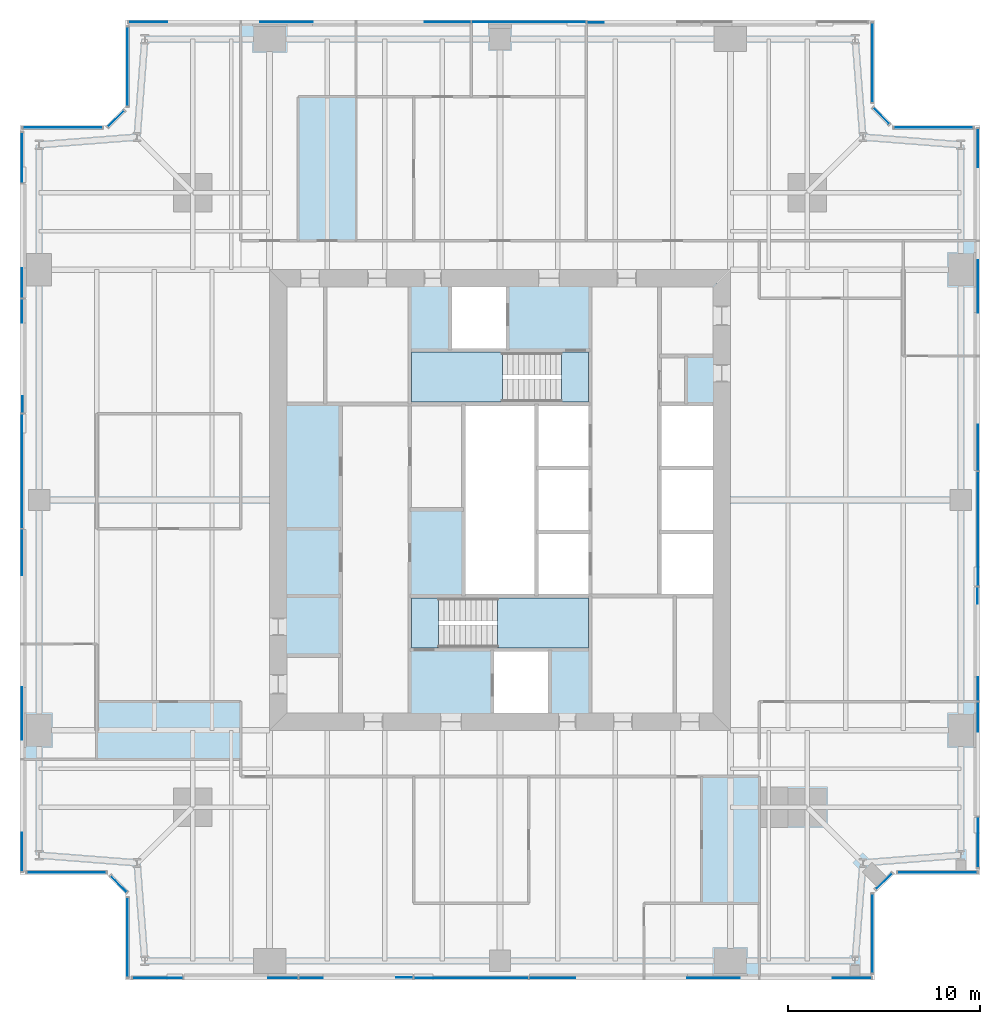
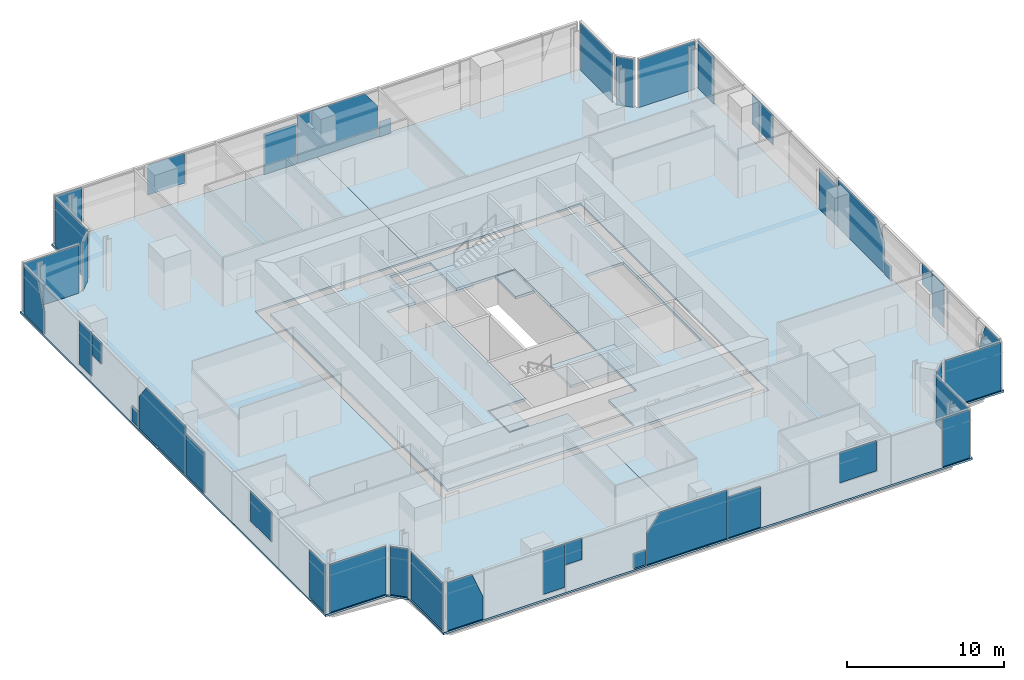
# One storey, part 8 of 14: 41 plates, 7 slabs, 18 elements without a shape of their own.
"""IFC4 building model written with IfcOpenShell, lengths in metres."""

from ifc_helpers import new_model, si_unit, direction, frame, origin, origin_2d, place, context, subcontext, project, spatial, polyline, rectangle, outline, extrude, material, layer, layer_set, type_object, element, aggregate, save


model = new_model("IFC4")

# Units and contexts
model_context = context("Model", 3, precision=1e-05, world=origin(), true_north=direction((0.0, 1.0)))
body_context = subcontext(model_context, "Body", "Model", "MODEL_VIEW")
ifc_project = project(units=[si_unit("LENGTHUNIT", "METRE"), si_unit("AREAUNIT", "SQUARE_METRE"), si_unit("VOLUMEUNIT", "CUBIC_METRE"), si_unit("PLANEANGLEUNIT", "RADIAN"), si_unit("MASSUNIT", "GRAM", prefix="KILO")], contexts=[model_context])

# Site, building, storey
site_placement = place(None, origin())
site = spatial("IfcSite", under=ifc_project, at=site_placement, CompositionType="ELEMENT")
building_placement = place(site_placement, origin())
building = spatial("IfcBuilding", under=site, at=building_placement, Name="Fenwick Lantern Interchange", CompositionType="ELEMENT")
storey_placement = place(building_placement, frame((0.0, 0.0, 205.800048828125)))
storey = spatial("IfcBuildingStorey", under=building, at=storey_placement, Name="L48", CompositionType="ELEMENT", Elevation=205.800048828125)

# Slabs
ifc_material_1 = material(Name="Concrete f'c 35 MPa", Category="concrete")
ifc_layer_1 = layer(ifc_material_1, 0.199951171875)
ifc_layer_set_1 = layer_set([ifc_layer_1], Name="CORE FLOOR SLAB 200")
slab_type_1 = type_object("IfcSlabType", Name="CORE FLOOR SLAB 200", PredefinedType="FLOOR", material=ifc_layer_set_1)
slab_1_placement = place(storey_placement, frame((0.0, 0.0, -0.199951171875)))
element("IfcSlab", 1, at=slab_1_placement, inside=storey, type_object=slab_type_1, Name="L48/SLAB/CORE", PredefinedType="FLOOR", context=body_context, shape_type="SweptSolid", body=[
    extrude(outline(polyline([(13.699951171875, 36.300048828125), (36.300048828125, 36.300048828125), (36.300048828125, 13.699951171875), (13.699951171875, 13.699951171875), (13.699951171875, 36.300048828125)]), holes=[polyline([(24.60009765625, 13.89990234375), (27.60009765625, 13.89990234375), (27.60009765625, 17.199951171875), (29.699951171875, 17.199951171875), (29.699951171875, 20.0), (29.699951171875, 23.333251953125), (29.699951171875, 26.666748046875), (29.699951171875, 30.0), (29.699951171875, 32.800048828125), (25.39990234375, 32.800048828125), (25.39990234375, 36.10009765625), (22.39990234375, 36.10009765625), (22.39990234375, 32.800048828125), (20.300048828125, 32.800048828125), (20.300048828125, 30.0), (23.10009765625, 30.0), (23.10009765625, 20.0), (20.300048828125, 20.0), (20.300048828125, 17.199951171875), (24.60009765625, 17.199951171875), (24.60009765625, 13.89990234375)]), polyline([(33.300048828125, 23.333251953125), (33.300048828125, 20.0), (36.10009765625, 20.0), (36.10009765625, 23.333251953125), (36.10009765625, 26.666748046875), (36.10009765625, 30.0), (33.300048828125, 30.0), (33.300048828125, 26.666748046875), (33.300048828125, 23.333251953125)])]), origin(), (0.0, 0.0, 1.0), 0.199951171875),
])
ifc_material_2 = material(Name="Concrete f'c 35 MPa", Category="concrete")
ifc_layer_2 = layer(ifc_material_2, 0.14990234375)
ifc_layer_set_2 = layer_set([ifc_layer_2], Name="Concrete f'c 35 MPa")
slab_type_2 = type_object("IfcSlabType", Name="FLOOR SLAB 150", PredefinedType="FLOOR", material=ifc_layer_set_2)
slab_2_placement = place(storey_placement, frame((0.0, 0.0, -0.150146484375)))
element("IfcSlab", 2, at=slab_2_placement, inside=storey, type_object=slab_type_2, Name="L48/SLAB/FW", PredefinedType="FLOOR", context=body_context, shape_type="SweptSolid", body=[
    extrude(outline(polyline([(5.5, 0.0), (5.5, 4.5), (4.5, 5.5), (0.0, 5.5), (0.0, 44.5), (4.5, 44.5), (5.5, 45.5), (5.5, 50.0), (25.0, 50.0), (25.0, 37.0), (13.0, 37.0), (13.0, 13.0), (25.0, 13.0), (25.0, 0.0), (5.5, 0.0)])), origin(), (0.0, 0.0, 1.0), 0.150146484375),
])
slab_3_placement = place(storey_placement, frame((0.0, 0.0, -0.150146484375)))
element("IfcSlab", 3, at=slab_3_placement, inside=storey, type_object=slab_type_2, Name="L48/SLAB/FE", PredefinedType="FLOOR", context=body_context, shape_type="SweptSolid", body=[
    extrude(outline(polyline([(44.5, 50.0), (44.5, 45.5), (45.5, 44.5), (50.0, 44.5), (50.0, 5.5), (45.5, 5.5), (44.5, 4.5), (44.5, 0.0), (25.0, 0.0), (25.0, 13.0), (37.0, 13.0), (37.0, 37.0), (25.0, 37.0), (25.0, 50.0), (44.5, 50.0)])), origin(), (0.0, 0.0, 1.0), 0.150146484375),
])

# Curtain wall, plates
ifc_material_3 = material(Name="Aluminium curtain wall frame", Category="aluminium")
curtain_wall_type = type_object("IfcCurtainWallType", Name="OFFICE CURTAIN WALL", PredefinedType="USERDEFINED", material=ifc_material_3)
curtain_wall_1_placement = place(storey_placement, origin())
curtain_wall_1 = element("IfcCurtainWall", 4, at=curtain_wall_1_placement, inside=storey, type_object=curtain_wall_type, Name="Office curtain wall 01", ObjectType="OFFICE CURTAIN WALL", PredefinedType="USERDEFINED")
ifc_material_4 = material(Name="Vision glass, clear low-iron double glazed", Category="glass")
ifc_layer_3 = layer(ifc_material_4, 0.031982421875)
ifc_layer_set_3 = layer_set([ifc_layer_3], Name="OFFICE CURTAIN WALL PANEL 32")
plate_type = type_object("IfcPlateType", Name="OFFICE CURTAIN WALL PANEL 32", PredefinedType="CURTAIN_PANEL", material=ifc_layer_set_3)
plate_1_placement = place(storey_placement, frame((5.60009765625, 0.10009765625, 0.0), z_axis=(0.0, 0.0, 1.0), x_axis=(1.0, 0.0, 0.0)))
plate_1 = element("IfcPlate", 5, at=plate_1_placement, type_object=plate_type, Name="L48/CW/01/P00a", PredefinedType="CURTAIN_PANEL", context=body_context, shape_type="SweptSolid", body=[
    extrude(outline(polyline([(0.264892578125, 0.0), (2.867431640625, 0.0), (2.867431640625, 1.7685546875), (2.0625, 3.75), (0.264892578125, 3.75), (0.264892578125, 0.0)])), frame((0.0, 0.01611328125, 0.0), z_axis=(0.0, -1.0, 0.0), x_axis=(1.0, 0.0, 0.0)), (0.0, 0.0, 1.0), 0.031982421875),
])
plate_2_placement = place(storey_placement, frame((5.60009765625, 0.10009765625, 0.35302734375), z_axis=(0.0, 0.0, 1.0), x_axis=(1.0, 0.0, 0.0)))
plate_2 = element("IfcPlate", 6, at=plate_2_placement, type_object=plate_type, Name="L48/CW/01/P01a", PredefinedType="CURTAIN_PANEL", context=body_context, shape_type="SweptSolid", body=[
    extrude(outline(polyline([(7.328125, 0.0), (8.867431640625, 0.0), (8.867431640625, 3.39697265625), (7.328125, 3.39697265625), (7.328125, 0.0)])), frame((0.0, 0.01611328125, 0.0), z_axis=(0.0, -1.0, 0.0), x_axis=(1.0, 0.0, 0.0)), (0.0, 0.0, 1.0), 0.031982421875),
])
plate_3_placement = place(storey_placement, frame((5.60009765625, 0.10009765625, 2.090576171875), z_axis=(0.0, 0.0, 1.0), x_axis=(1.0, 0.0, 0.0)))
plate_3 = element("IfcPlate", 7, at=plate_3_placement, type_object=plate_type, Name="L48/CW/01/P02a", PredefinedType="CURTAIN_PANEL", context=body_context, shape_type="SweptSolid", body=[
    extrude(outline(polyline([(8.9326171875, 0.0), (10.172607421875, 0.0), (10.172607421875, 1.659423828125), (8.9326171875, 1.659423828125), (8.9326171875, 0.0)])), frame((0.0, 0.01611328125, 0.0), z_axis=(0.0, -1.0, 0.0), x_axis=(1.0, 0.0, 0.0)), (0.0, 0.0, 1.0), 0.031982421875),
])
plate_4_placement = place(storey_placement, frame((5.60009765625, 0.10009765625, 0.0), z_axis=(0.0, 0.0, 1.0), x_axis=(1.0, 0.0, 0.0)))
plate_4 = element("IfcPlate", 8, at=plate_4_placement, type_object=plate_type, Name="L48/CW/01/P02b", PredefinedType="CURTAIN_PANEL", context=body_context, shape_type="SweptSolid", body=[
    extrude(outline(polyline([(13.984619140625, 0.0), (14.867431640625, 0.0), (14.867431640625, 1.17333984375), (13.984619140625, 1.17333984375), (13.984619140625, 0.0)])), frame((0.0, 0.0498046875, 0.0), z_axis=(0.0, -1.0, 0.0), x_axis=(1.0, 0.0, 0.0)), (0.0, 0.0, 1.0), 0.031982421875),
])
plate_5_placement = place(storey_placement, frame((5.60009765625, 0.10009765625, 0.0), z_axis=(0.0, 0.0, 1.0), x_axis=(1.0, 0.0, 0.0)))
plate_5 = element("IfcPlate", 9, at=plate_5_placement, type_object=plate_type, Name="L48/CW/01/P03a", PredefinedType="CURTAIN_PANEL", context=body_context, shape_type="SweptSolid", body=[
    extrude(outline(polyline([(14.9326171875, 0.0), (20.867431640625, 0.0), (20.867431640625, 3.75), (15.9169921875, 3.75), (14.9326171875, 2.437255859375), (14.9326171875, 0.0)])), frame((0.0, 0.01611328125, 0.0), z_axis=(0.0, -1.0, 0.0), x_axis=(1.0, 0.0, 0.0)), (0.0, 0.0, 1.0), 0.031982421875),
])
plate_6_placement = place(storey_placement, frame((5.60009765625, 0.10009765625, 0.0), z_axis=(0.0, 0.0, 1.0), x_axis=(1.0, 0.0, 0.0)))
plate_6 = element("IfcPlate", 10, at=plate_6_placement, type_object=plate_type, Name="L48/CW/01/P04a", PredefinedType="CURTAIN_PANEL", context=body_context, shape_type="SweptSolid", body=[
    extrude(outline(polyline([(20.9326171875, 0.0), (23.3125, 0.0), (23.3125, 3.17724609375), (20.9326171875, 3.17724609375), (20.9326171875, 0.0)])), frame((0.0, 0.01611328125, 0.0), z_axis=(0.0, -1.0, 0.0), x_axis=(1.0, 0.0, 0.0)), (0.0, 0.0, 1.0), 0.031982421875),
])
plate_7_placement = place(storey_placement, frame((5.60009765625, 0.10009765625, 1.389892578125), z_axis=(0.0, 0.0, 1.0), x_axis=(1.0, 0.0, 0.0)))
plate_7 = element("IfcPlate", 11, at=plate_7_placement, type_object=plate_type, Name="L48/CW/01/P05a", PredefinedType="CURTAIN_PANEL", context=body_context, shape_type="SweptSolid", body=[
    extrude(outline(polyline([(29.153076171875, 0.0), (31.89306640625, 0.0), (31.89306640625, 2.360107421875), (29.153076171875, 2.360107421875), (29.153076171875, 0.0)])), frame((0.0, 0.01611328125, 0.0), z_axis=(0.0, -1.0, 0.0), x_axis=(1.0, 0.0, 0.0)), (0.0, 0.0, 1.0), 0.031982421875),
])
plate_8_placement = place(storey_placement, frame((5.60009765625, 0.10009765625, 0.0), z_axis=(0.0, 0.0, 1.0), x_axis=(1.0, 0.0, 0.0)))
plate_8 = element("IfcPlate", 12, at=plate_8_placement, type_object=plate_type, Name="L48/CW/01/P06a", PredefinedType="CURTAIN_PANEL", context=body_context, shape_type="SweptSolid", body=[
    extrude(outline(polyline([(36.734130859375, 0.0), (38.735107421875, 0.0), (38.735107421875, 3.741455078125), (36.734130859375, 3.741455078125), (36.734130859375, 0.0)])), frame((0.0, 0.01611328125, 0.0), z_axis=(0.0, -1.0, 0.0), x_axis=(1.0, 0.0, 0.0)), (0.0, 0.0, 1.0), 0.031982421875),
])
aggregate(curtain_wall_1, [plate_1, plate_2, plate_3, plate_4, plate_5, plate_6, plate_7, plate_8])

# Curtain wall, plate
curtain_wall_2_placement = place(storey_placement, origin())
curtain_wall_2 = element("IfcCurtainWall", 13, at=curtain_wall_2_placement, inside=storey, type_object=curtain_wall_type, Name="Office curtain wall 02", ObjectType="OFFICE CURTAIN WALL", PredefinedType="USERDEFINED")
plate_9_placement = place(storey_placement, frame((44.39990234375, 2.420654296875, 0.0), z_axis=(0.0, 0.0, 1.0), x_axis=(0.0, 1.0, 0.0)))
plate_9 = element("IfcPlate", 14, at=plate_9_placement, type_object=plate_type, Name="L48/CW/02/P00", PredefinedType="CURTAIN_PANEL", context=body_context, shape_type="SweptSolid", body=[
    extrude(rectangle(XDim=4.111328125, YDim=0.031982421875, at=origin_2d()), origin(), (0.0, 0.0, 1.0), 3.75),
])
aggregate(curtain_wall_2, [plate_9])

curtain_wall_3_placement = place(storey_placement, origin())
curtain_wall_3 = element("IfcCurtainWall", 15, at=curtain_wall_3_placement, inside=storey, type_object=curtain_wall_type, Name="Office curtain wall 03", ObjectType="OFFICE CURTAIN WALL", PredefinedType="USERDEFINED")
plate_10_placement = place(storey_placement, frame((45.0, 5.141357421875, 0.0), z_axis=(0.0, 0.0, 1.0), x_axis=(0.707106781187, 0.707106781187, 0.0)))
plate_10 = element("IfcPlate", 16, at=plate_10_placement, type_object=plate_type, Name="L48/CW/03/P00", PredefinedType="CURTAIN_PANEL", context=body_context, shape_type="SweptSolid", body=[
    extrude(rectangle(XDim=1.1669921875, YDim=0.031982421875, at=origin_2d()), origin(), (0.0, 0.0, 1.0), 3.75),
])
aggregate(curtain_wall_3, [plate_10])

curtain_wall_4_placement = place(storey_placement, origin())
curtain_wall_4 = element("IfcCurtainWall", 17, at=curtain_wall_4_placement, inside=storey, type_object=curtain_wall_type, Name="Office curtain wall 04", ObjectType="OFFICE CURTAIN WALL", PredefinedType="USERDEFINED")
plate_11_placement = place(storey_placement, frame((47.779296875, 5.60009765625, 0.0), z_axis=(0.0, 0.0, 1.0), x_axis=(1.0, 0.0, 0.0)))
plate_11 = element("IfcPlate", 18, at=plate_11_placement, type_object=plate_type, Name="L48/CW/04/P00", PredefinedType="CURTAIN_PANEL", context=body_context, shape_type="SweptSolid", body=[
    extrude(rectangle(XDim=4.111328125, YDim=0.031982421875, at=origin_2d()), origin(), (0.0, 0.0, 1.0), 3.75),
])
aggregate(curtain_wall_4, [plate_11])

# Curtain wall, plates
curtain_wall_5_placement = place(storey_placement, origin())
curtain_wall_5 = element("IfcCurtainWall", 19, at=curtain_wall_5_placement, inside=storey, type_object=curtain_wall_type, Name="Office curtain wall 05", ObjectType="OFFICE CURTAIN WALL", PredefinedType="USERDEFINED")
plate_12_placement = place(storey_placement, frame((49.89990234375, 5.60009765625, 0.0), z_axis=(0.0, 0.0, 1.0), x_axis=(0.0, 1.0, 0.0)))
plate_12 = element("IfcPlate", 20, at=plate_12_placement, type_object=plate_type, Name="L48/CW/05/P00a", PredefinedType="CURTAIN_PANEL", context=body_context, shape_type="SweptSolid", body=[
    extrude(outline(polyline([(0.264892578125, 0.0), (2.867431640625, 0.0), (2.867431640625, 1.7685546875), (2.0625, 3.75), (0.264892578125, 3.75), (0.264892578125, 0.0)])), frame((0.0, 0.01611328125, 0.0), z_axis=(0.0, -1.0, 0.0), x_axis=(1.0, 0.0, 0.0)), (0.0, 0.0, 1.0), 0.031982421875),
])
plate_13_placement = place(storey_placement, frame((49.89990234375, 5.60009765625, 0.35302734375), z_axis=(0.0, 0.0, 1.0), x_axis=(0.0, 1.0, 0.0)))
plate_13 = element("IfcPlate", 21, at=plate_13_placement, type_object=plate_type, Name="L48/CW/05/P01a", PredefinedType="CURTAIN_PANEL", context=body_context, shape_type="SweptSolid", body=[
    extrude(outline(polyline([(7.328125, 0.0), (8.867431640625, 0.0), (8.867431640625, 3.39697265625), (7.328125, 3.39697265625), (7.328125, 0.0)])), frame((0.0, 0.01611328125, 0.0), z_axis=(0.0, -1.0, 0.0), x_axis=(1.0, 0.0, 0.0)), (0.0, 0.0, 1.0), 0.031982421875),
])
plate_14_placement = place(storey_placement, frame((49.89990234375, 5.60009765625, 2.090576171875), z_axis=(0.0, 0.0, 1.0), x_axis=(0.0, 1.0, 0.0)))
plate_14 = element("IfcPlate", 22, at=plate_14_placement, type_object=plate_type, Name="L48/CW/05/P02a", PredefinedType="CURTAIN_PANEL", context=body_context, shape_type="SweptSolid", body=[
    extrude(outline(polyline([(8.9326171875, 0.0), (10.172607421875, 0.0), (10.172607421875, 1.659423828125), (8.9326171875, 1.659423828125), (8.9326171875, 0.0)])), frame((0.0, 0.01611328125, 0.0), z_axis=(0.0, -1.0, 0.0), x_axis=(1.0, 0.0, 0.0)), (0.0, 0.0, 1.0), 0.031982421875),
])
plate_15_placement = place(storey_placement, frame((49.89990234375, 5.60009765625, 0.0), z_axis=(0.0, 0.0, 1.0), x_axis=(0.0, 1.0, 0.0)))
plate_15 = element("IfcPlate", 23, at=plate_15_placement, type_object=plate_type, Name="L48/CW/05/P02b", PredefinedType="CURTAIN_PANEL", context=body_context, shape_type="SweptSolid", body=[
    extrude(outline(polyline([(13.984619140625, 0.0), (14.867431640625, 0.0), (14.867431640625, 1.17333984375), (13.984619140625, 1.17333984375), (13.984619140625, 0.0)])), frame((0.0, 0.0498046875, 0.0), z_axis=(0.0, -1.0, 0.0), x_axis=(1.0, 0.0, 0.0)), (0.0, 0.0, 1.0), 0.031982421875),
])
plate_16_placement = place(storey_placement, frame((49.89990234375, 5.60009765625, 0.0), z_axis=(0.0, 0.0, 1.0), x_axis=(0.0, 1.0, 0.0)))
plate_16 = element("IfcPlate", 24, at=plate_16_placement, type_object=plate_type, Name="L48/CW/05/P03a", PredefinedType="CURTAIN_PANEL", context=body_context, shape_type="SweptSolid", body=[
    extrude(outline(polyline([(14.9326171875, 0.0), (20.867431640625, 0.0), (20.867431640625, 3.75), (15.9169921875, 3.75), (14.9326171875, 2.437255859375), (14.9326171875, 0.0)])), frame((0.0, 0.01611328125, 0.0), z_axis=(0.0, -1.0, 0.0), x_axis=(1.0, 0.0, 0.0)), (0.0, 0.0, 1.0), 0.031982421875),
])
plate_17_placement = place(storey_placement, frame((49.89990234375, 5.60009765625, 0.0), z_axis=(0.0, 0.0, 1.0), x_axis=(0.0, 1.0, 0.0)))
plate_17 = element("IfcPlate", 25, at=plate_17_placement, type_object=plate_type, Name="L48/CW/05/P04a", PredefinedType="CURTAIN_PANEL", context=body_context, shape_type="SweptSolid", body=[
    extrude(outline(polyline([(20.9326171875, 0.0), (23.3125, 0.0), (23.3125, 3.17724609375), (20.9326171875, 3.17724609375), (20.9326171875, 0.0)])), frame((0.0, 0.01611328125, 0.0), z_axis=(0.0, -1.0, 0.0), x_axis=(1.0, 0.0, 0.0)), (0.0, 0.0, 1.0), 0.031982421875),
])
plate_18_placement = place(storey_placement, frame((49.89990234375, 5.60009765625, 1.389892578125), z_axis=(0.0, 0.0, 1.0), x_axis=(0.0, 1.0, 0.0)))
plate_18 = element("IfcPlate", 26, at=plate_18_placement, type_object=plate_type, Name="L48/CW/05/P05a", PredefinedType="CURTAIN_PANEL", context=body_context, shape_type="SweptSolid", body=[
    extrude(outline(polyline([(29.153076171875, 0.0), (31.89306640625, 0.0), (31.89306640625, 2.360107421875), (29.153076171875, 2.360107421875), (29.153076171875, 0.0)])), frame((0.0, 0.01611328125, 0.0), z_axis=(0.0, -1.0, 0.0), x_axis=(1.0, 0.0, 0.0)), (0.0, 0.0, 1.0), 0.031982421875),
])
plate_19_placement = place(storey_placement, frame((49.89990234375, 5.60009765625, 0.0), z_axis=(0.0, 0.0, 1.0), x_axis=(0.0, 1.0, 0.0)))
plate_19 = element("IfcPlate", 27, at=plate_19_placement, type_object=plate_type, Name="L48/CW/05/P06a", PredefinedType="CURTAIN_PANEL", context=body_context, shape_type="SweptSolid", body=[
    extrude(outline(polyline([(36.734130859375, 0.0), (38.735107421875, 0.0), (38.735107421875, 3.741455078125), (36.734130859375, 3.741455078125), (36.734130859375, 0.0)])), frame((0.0, 0.01611328125, 0.0), z_axis=(0.0, -1.0, 0.0), x_axis=(1.0, 0.0, 0.0)), (0.0, 0.0, 1.0), 0.031982421875),
])
aggregate(curtain_wall_5, [plate_12, plate_13, plate_14, plate_15, plate_16, plate_17, plate_18, plate_19])

# Curtain wall, plate
curtain_wall_6_placement = place(storey_placement, origin())
curtain_wall_6 = element("IfcCurtainWall", 28, at=curtain_wall_6_placement, inside=storey, type_object=curtain_wall_type, Name="Office curtain wall 06", ObjectType="OFFICE CURTAIN WALL", PredefinedType="USERDEFINED")
plate_20_placement = place(storey_placement, frame((47.579345703125, 44.39990234375, 0.0), z_axis=(0.0, 0.0, 1.0), x_axis=(-1.0, 0.0, 0.0)))
plate_20 = element("IfcPlate", 29, at=plate_20_placement, type_object=plate_type, Name="L48/CW/06/P00", PredefinedType="CURTAIN_PANEL", context=body_context, shape_type="SweptSolid", body=[
    extrude(rectangle(XDim=4.111328125, YDim=0.031982421875, at=origin_2d()), origin(), (0.0, 0.0, 1.0), 3.75),
])
aggregate(curtain_wall_6, [plate_20])

curtain_wall_7_placement = place(storey_placement, origin())
curtain_wall_7 = element("IfcCurtainWall", 30, at=curtain_wall_7_placement, inside=storey, type_object=curtain_wall_type, Name="Office curtain wall 07", ObjectType="OFFICE CURTAIN WALL", PredefinedType="USERDEFINED")
plate_21_placement = place(storey_placement, frame((44.858642578125, 45.0, 0.0), z_axis=(0.0, 0.0, 1.0), x_axis=(-0.707106781187, 0.707106781187, 0.0)))
plate_21 = element("IfcPlate", 31, at=plate_21_placement, type_object=plate_type, Name="L48/CW/07/P00", PredefinedType="CURTAIN_PANEL", context=body_context, shape_type="SweptSolid", body=[
    extrude(rectangle(XDim=1.1669921875, YDim=0.031982421875, at=origin_2d()), origin(), (0.0, 0.0, 1.0), 3.75),
])
aggregate(curtain_wall_7, [plate_21])

curtain_wall_8_placement = place(storey_placement, origin())
curtain_wall_8 = element("IfcCurtainWall", 32, at=curtain_wall_8_placement, inside=storey, type_object=curtain_wall_type, Name="Office curtain wall 08", ObjectType="OFFICE CURTAIN WALL", PredefinedType="USERDEFINED")
plate_22_placement = place(storey_placement, frame((44.39990234375, 47.779296875, 0.0), z_axis=(0.0, 0.0, 1.0), x_axis=(0.0, 1.0, 0.0)))
plate_22 = element("IfcPlate", 33, at=plate_22_placement, type_object=plate_type, Name="L48/CW/08/P00", PredefinedType="CURTAIN_PANEL", context=body_context, shape_type="SweptSolid", body=[
    extrude(rectangle(XDim=4.111328125, YDim=0.031982421875, at=origin_2d()), origin(), (0.0, 0.0, 1.0), 3.75),
])
aggregate(curtain_wall_8, [plate_22])

# Curtain wall, plates
curtain_wall_9_placement = place(storey_placement, origin())
curtain_wall_9 = element("IfcCurtainWall", 34, at=curtain_wall_9_placement, inside=storey, type_object=curtain_wall_type, Name="Office curtain wall 09", ObjectType="OFFICE CURTAIN WALL", PredefinedType="USERDEFINED")
plate_23_placement = place(storey_placement, frame((44.39990234375, 49.89990234375, 0.0), z_axis=(0.0, 0.0, 1.0), x_axis=(-1.0, 0.0, 0.0)))
plate_23 = element("IfcPlate", 35, at=plate_23_placement, type_object=plate_type, Name="L48/CW/09/P02b", PredefinedType="CURTAIN_PANEL", context=body_context, shape_type="SweptSolid", body=[
    extrude(outline(polyline([(13.984619140625, 0.0), (14.867431640625, 0.0), (14.867431640625, 1.17333984375), (13.984619140625, 1.17333984375), (13.984619140625, 0.0)])), frame((0.0, 0.0498046875, 0.0), z_axis=(0.0, -1.0, 0.0), x_axis=(1.0, 0.0, 0.0)), (0.0, 0.0, 1.0), 0.031982421875),
])
plate_24_placement = place(storey_placement, frame((44.39990234375, 49.89990234375, 0.0), z_axis=(0.0, 0.0, 1.0), x_axis=(-1.0, 0.0, 0.0)))
plate_24 = element("IfcPlate", 36, at=plate_24_placement, type_object=plate_type, Name="L48/CW/09/P03a", PredefinedType="CURTAIN_PANEL", context=body_context, shape_type="SweptSolid", body=[
    extrude(outline(polyline([(14.9326171875, 0.0), (20.867431640625, 0.0), (20.867431640625, 3.75), (15.9169921875, 3.75), (14.9326171875, 2.437255859375), (14.9326171875, 0.0)])), frame((0.0, 0.01611328125, 0.0), z_axis=(0.0, -1.0, 0.0), x_axis=(1.0, 0.0, 0.0)), (0.0, 0.0, 1.0), 0.031982421875),
])
plate_25_placement = place(storey_placement, frame((44.39990234375, 49.89990234375, 0.0), z_axis=(0.0, 0.0, 1.0), x_axis=(-1.0, 0.0, 0.0)))
plate_25 = element("IfcPlate", 37, at=plate_25_placement, type_object=plate_type, Name="L48/CW/09/P04a", PredefinedType="CURTAIN_PANEL", context=body_context, shape_type="SweptSolid", body=[
    extrude(outline(polyline([(20.9326171875, 0.0), (23.3125, 0.0), (23.3125, 3.17724609375), (20.9326171875, 3.17724609375), (20.9326171875, 0.0)])), frame((0.0, 0.01611328125, 0.0), z_axis=(0.0, -1.0, 0.0), x_axis=(1.0, 0.0, 0.0)), (0.0, 0.0, 1.0), 0.031982421875),
])
plate_26_placement = place(storey_placement, frame((44.39990234375, 49.89990234375, 1.389892578125), z_axis=(0.0, 0.0, 1.0), x_axis=(-1.0, 0.0, 0.0)))
plate_26 = element("IfcPlate", 38, at=plate_26_placement, type_object=plate_type, Name="L48/CW/09/P05a", PredefinedType="CURTAIN_PANEL", context=body_context, shape_type="SweptSolid", body=[
    extrude(outline(polyline([(29.153076171875, 0.0), (31.89306640625, 0.0), (31.89306640625, 2.360107421875), (29.153076171875, 2.360107421875), (29.153076171875, 0.0)])), frame((0.0, 0.01611328125, 0.0), z_axis=(0.0, -1.0, 0.0), x_axis=(1.0, 0.0, 0.0)), (0.0, 0.0, 1.0), 0.031982421875),
])
plate_27_placement = place(storey_placement, frame((44.39990234375, 49.89990234375, 0.0), z_axis=(0.0, 0.0, 1.0), x_axis=(-1.0, 0.0, 0.0)))
plate_27 = element("IfcPlate", 39, at=plate_27_placement, type_object=plate_type, Name="L48/CW/09/P06a", PredefinedType="CURTAIN_PANEL", context=body_context, shape_type="SweptSolid", body=[
    extrude(outline(polyline([(36.734130859375, 0.0), (38.735107421875, 0.0), (38.735107421875, 3.741455078125), (36.734130859375, 3.741455078125), (36.734130859375, 0.0)])), frame((0.0, 0.01611328125, 0.0), z_axis=(0.0, -1.0, 0.0), x_axis=(1.0, 0.0, 0.0)), (0.0, 0.0, 1.0), 0.031982421875),
])
aggregate(curtain_wall_9, [plate_23, plate_24, plate_25, plate_26, plate_27])

# Curtain wall, plate
curtain_wall_10_placement = place(storey_placement, origin())
curtain_wall_10 = element("IfcCurtainWall", 40, at=curtain_wall_10_placement, inside=storey, type_object=curtain_wall_type, Name="Office curtain wall 10", ObjectType="OFFICE CURTAIN WALL", PredefinedType="USERDEFINED")
plate_28_placement = place(storey_placement, frame((5.60009765625, 47.579345703125, 0.0), z_axis=(0.0, 0.0, 1.0), x_axis=(0.0, -1.0, 0.0)))
plate_28 = element("IfcPlate", 41, at=plate_28_placement, type_object=plate_type, Name="L48/CW/10/P00", PredefinedType="CURTAIN_PANEL", context=body_context, shape_type="SweptSolid", body=[
    extrude(rectangle(XDim=4.111328125, YDim=0.031982421875, at=origin_2d()), origin(), (0.0, 0.0, 1.0), 3.75),
])
aggregate(curtain_wall_10, [plate_28])

curtain_wall_11_placement = place(storey_placement, origin())
curtain_wall_11 = element("IfcCurtainWall", 42, at=curtain_wall_11_placement, inside=storey, type_object=curtain_wall_type, Name="Office curtain wall 11", ObjectType="OFFICE CURTAIN WALL", PredefinedType="USERDEFINED")
plate_29_placement = place(storey_placement, frame((5.0, 44.858642578125, 0.0), z_axis=(0.0, 0.0, 1.0), x_axis=(-0.707106781187, -0.707106781187, 0.0)))
plate_29 = element("IfcPlate", 43, at=plate_29_placement, type_object=plate_type, Name="L48/CW/11/P00", PredefinedType="CURTAIN_PANEL", context=body_context, shape_type="SweptSolid", body=[
    extrude(rectangle(XDim=1.1669921875, YDim=0.031982421875, at=origin_2d()), origin(), (0.0, 0.0, 1.0), 3.75),
])
aggregate(curtain_wall_11, [plate_29])

curtain_wall_12_placement = place(storey_placement, origin())
curtain_wall_12 = element("IfcCurtainWall", 44, at=curtain_wall_12_placement, inside=storey, type_object=curtain_wall_type, Name="Office curtain wall 12", ObjectType="OFFICE CURTAIN WALL", PredefinedType="USERDEFINED")
plate_30_placement = place(storey_placement, frame((2.220703125, 44.39990234375, 0.0), z_axis=(0.0, 0.0, 1.0), x_axis=(-1.0, 0.0, 0.0)))
plate_30 = element("IfcPlate", 45, at=plate_30_placement, type_object=plate_type, Name="L48/CW/12/P00", PredefinedType="CURTAIN_PANEL", context=body_context, shape_type="SweptSolid", body=[
    extrude(rectangle(XDim=4.111328125, YDim=0.031982421875, at=origin_2d()), origin(), (0.0, 0.0, 1.0), 3.75),
])
aggregate(curtain_wall_12, [plate_30])

# Curtain wall, plates
curtain_wall_13_placement = place(storey_placement, origin())
curtain_wall_13 = element("IfcCurtainWall", 46, at=curtain_wall_13_placement, inside=storey, type_object=curtain_wall_type, Name="Office curtain wall 13", ObjectType="OFFICE CURTAIN WALL", PredefinedType="USERDEFINED")
plate_31_placement = place(storey_placement, frame((0.10009765625, 44.39990234375, 0.0), z_axis=(0.0, 0.0, 1.0), x_axis=(0.0, -1.0, 0.0)))
plate_31 = element("IfcPlate", 47, at=plate_31_placement, type_object=plate_type, Name="L48/CW/13/P00a", PredefinedType="CURTAIN_PANEL", context=body_context, shape_type="SweptSolid", body=[
    extrude(outline(polyline([(0.264892578125, 0.0), (2.867431640625, 0.0), (2.867431640625, 1.7685546875), (2.0625, 3.75), (0.264892578125, 3.75), (0.264892578125, 0.0)])), frame((0.0, 0.01611328125, 0.0), z_axis=(0.0, -1.0, 0.0), x_axis=(1.0, 0.0, 0.0)), (0.0, 0.0, 1.0), 0.031982421875),
])
plate_32_placement = place(storey_placement, frame((0.10009765625, 44.39990234375, 0.35302734375), z_axis=(0.0, 0.0, 1.0), x_axis=(0.0, -1.0, 0.0)))
plate_32 = element("IfcPlate", 48, at=plate_32_placement, type_object=plate_type, Name="L48/CW/13/P01a", PredefinedType="CURTAIN_PANEL", context=body_context, shape_type="SweptSolid", body=[
    extrude(outline(polyline([(7.328125, 0.0), (8.867431640625, 0.0), (8.867431640625, 3.39697265625), (7.328125, 3.39697265625), (7.328125, 0.0)])), frame((0.0, 0.01611328125, 0.0), z_axis=(0.0, -1.0, 0.0), x_axis=(1.0, 0.0, 0.0)), (0.0, 0.0, 1.0), 0.031982421875),
])
plate_33_placement = place(storey_placement, frame((0.10009765625, 44.39990234375, 2.090576171875), z_axis=(0.0, 0.0, 1.0), x_axis=(0.0, -1.0, 0.0)))
plate_33 = element("IfcPlate", 49, at=plate_33_placement, type_object=plate_type, Name="L48/CW/13/P02a", PredefinedType="CURTAIN_PANEL", context=body_context, shape_type="SweptSolid", body=[
    extrude(outline(polyline([(8.9326171875, 0.0), (10.172607421875, 0.0), (10.172607421875, 1.659423828125), (8.9326171875, 1.659423828125), (8.9326171875, 0.0)])), frame((0.0, 0.01611328125, 0.0), z_axis=(0.0, -1.0, 0.0), x_axis=(1.0, 0.0, 0.0)), (0.0, 0.0, 1.0), 0.031982421875),
])
plate_34_placement = place(storey_placement, frame((0.10009765625, 44.39990234375, 0.0), z_axis=(0.0, 0.0, 1.0), x_axis=(0.0, -1.0, 0.0)))
plate_34 = element("IfcPlate", 50, at=plate_34_placement, type_object=plate_type, Name="L48/CW/13/P02b", PredefinedType="CURTAIN_PANEL", context=body_context, shape_type="SweptSolid", body=[
    extrude(outline(polyline([(13.984619140625, 0.0), (14.867431640625, 0.0), (14.867431640625, 1.17333984375), (13.984619140625, 1.17333984375), (13.984619140625, 0.0)])), frame((0.0, 0.0498046875, 0.0), z_axis=(0.0, -1.0, 0.0), x_axis=(1.0, 0.0, 0.0)), (0.0, 0.0, 1.0), 0.031982421875),
])
plate_35_placement = place(storey_placement, frame((0.10009765625, 44.39990234375, 0.0), z_axis=(0.0, 0.0, 1.0), x_axis=(0.0, -1.0, 0.0)))
plate_35 = element("IfcPlate", 51, at=plate_35_placement, type_object=plate_type, Name="L48/CW/13/P03a", PredefinedType="CURTAIN_PANEL", context=body_context, shape_type="SweptSolid", body=[
    extrude(outline(polyline([(14.9326171875, 0.0), (20.867431640625, 0.0), (20.867431640625, 3.75), (15.9169921875, 3.75), (14.9326171875, 2.437255859375), (14.9326171875, 0.0)])), frame((0.0, 0.01611328125, 0.0), z_axis=(0.0, -1.0, 0.0), x_axis=(1.0, 0.0, 0.0)), (0.0, 0.0, 1.0), 0.031982421875),
])
plate_36_placement = place(storey_placement, frame((0.10009765625, 44.39990234375, 0.0), z_axis=(0.0, 0.0, 1.0), x_axis=(0.0, -1.0, 0.0)))
plate_36 = element("IfcPlate", 52, at=plate_36_placement, type_object=plate_type, Name="L48/CW/13/P04a", PredefinedType="CURTAIN_PANEL", context=body_context, shape_type="SweptSolid", body=[
    extrude(outline(polyline([(20.9326171875, 0.0), (23.3125, 0.0), (23.3125, 3.17724609375), (20.9326171875, 3.17724609375), (20.9326171875, 0.0)])), frame((0.0, 0.01611328125, 0.0), z_axis=(0.0, -1.0, 0.0), x_axis=(1.0, 0.0, 0.0)), (0.0, 0.0, 1.0), 0.031982421875),
])
plate_37_placement = place(storey_placement, frame((0.10009765625, 44.39990234375, 1.389892578125), z_axis=(0.0, 0.0, 1.0), x_axis=(0.0, -1.0, 0.0)))
plate_37 = element("IfcPlate", 53, at=plate_37_placement, type_object=plate_type, Name="L48/CW/13/P05a", PredefinedType="CURTAIN_PANEL", context=body_context, shape_type="SweptSolid", body=[
    extrude(outline(polyline([(29.153076171875, 0.0), (31.89306640625, 0.0), (31.89306640625, 2.360107421875), (29.153076171875, 2.360107421875), (29.153076171875, 0.0)])), frame((0.0, 0.01611328125, 0.0), z_axis=(0.0, -1.0, 0.0), x_axis=(1.0, 0.0, 0.0)), (0.0, 0.0, 1.0), 0.031982421875),
])
plate_38_placement = place(storey_placement, frame((0.10009765625, 44.39990234375, 0.0), z_axis=(0.0, 0.0, 1.0), x_axis=(0.0, -1.0, 0.0)))
plate_38 = element("IfcPlate", 54, at=plate_38_placement, type_object=plate_type, Name="L48/CW/13/P06a", PredefinedType="CURTAIN_PANEL", context=body_context, shape_type="SweptSolid", body=[
    extrude(outline(polyline([(36.734130859375, 0.0), (38.735107421875, 0.0), (38.735107421875, 3.741455078125), (36.734130859375, 3.741455078125), (36.734130859375, 0.0)])), frame((0.0, 0.01611328125, 0.0), z_axis=(0.0, -1.0, 0.0), x_axis=(1.0, 0.0, 0.0)), (0.0, 0.0, 1.0), 0.031982421875),
])
aggregate(curtain_wall_13, [plate_31, plate_32, plate_33, plate_34, plate_35, plate_36, plate_37, plate_38])

# Curtain wall, plate
curtain_wall_14_placement = place(storey_placement, origin())
curtain_wall_14 = element("IfcCurtainWall", 55, at=curtain_wall_14_placement, inside=storey, type_object=curtain_wall_type, Name="Office curtain wall 14", ObjectType="OFFICE CURTAIN WALL", PredefinedType="USERDEFINED")
plate_39_placement = place(storey_placement, frame((2.420654296875, 5.60009765625, 0.0), z_axis=(0.0, 0.0, 1.0), x_axis=(1.0, 0.0, 0.0)))
plate_39 = element("IfcPlate", 56, at=plate_39_placement, type_object=plate_type, Name="L48/CW/14/P00", PredefinedType="CURTAIN_PANEL", context=body_context, shape_type="SweptSolid", body=[
    extrude(rectangle(XDim=4.111328125, YDim=0.031982421875, at=origin_2d()), origin(), (0.0, 0.0, 1.0), 3.75),
])
aggregate(curtain_wall_14, [plate_39])

curtain_wall_15_placement = place(storey_placement, origin())
curtain_wall_15 = element("IfcCurtainWall", 57, at=curtain_wall_15_placement, inside=storey, type_object=curtain_wall_type, Name="Office curtain wall 15", ObjectType="OFFICE CURTAIN WALL", PredefinedType="USERDEFINED")
plate_40_placement = place(storey_placement, frame((5.141357421875, 5.0, 0.0), z_axis=(0.0, 0.0, 1.0), x_axis=(0.707106781187, -0.707106781187, 0.0)))
plate_40 = element("IfcPlate", 58, at=plate_40_placement, type_object=plate_type, Name="L48/CW/15/P00", PredefinedType="CURTAIN_PANEL", context=body_context, shape_type="SweptSolid", body=[
    extrude(rectangle(XDim=1.1669921875, YDim=0.031982421875, at=origin_2d()), origin(), (0.0, 0.0, 1.0), 3.75),
])
aggregate(curtain_wall_15, [plate_40])

curtain_wall_16_placement = place(storey_placement, origin())
curtain_wall_16 = element("IfcCurtainWall", 59, at=curtain_wall_16_placement, inside=storey, type_object=curtain_wall_type, Name="Office curtain wall 16", ObjectType="OFFICE CURTAIN WALL", PredefinedType="USERDEFINED")
plate_41_placement = place(storey_placement, frame((5.60009765625, 2.220703125, 0.0), z_axis=(0.0, 0.0, 1.0), x_axis=(0.0, -1.0, 0.0)))
plate_41 = element("IfcPlate", 60, at=plate_41_placement, type_object=plate_type, Name="L48/CW/16/P00", PredefinedType="CURTAIN_PANEL", context=body_context, shape_type="SweptSolid", body=[
    extrude(rectangle(XDim=4.111328125, YDim=0.031982421875, at=origin_2d()), origin(), (0.0, 0.0, 1.0), 3.75),
])
aggregate(curtain_wall_16, [plate_41])

# Stair, slabs
ifc_material_5 = material(Name="Precast concrete f'c 35 MPa", Category="concrete")
stair_type = type_object("IfcStairType", Name="EXIT STAIR 1200", PredefinedType="HALF_TURN_STAIR", material=ifc_material_5)
stair_1_placement = place(storey_placement, origin())
stair_1 = element("IfcStair", 61, at=stair_1_placement, inside=storey, type_object=stair_type, Name="Exit stair ST1", PredefinedType="HALF_TURN_STAIR")
ifc_layer_4 = layer(ifc_material_1, 0.199951171875)
ifc_layer_set_4 = layer_set([ifc_layer_4], Name="STAIR LANDING 200")
slab_type_3 = type_object("IfcSlabType", Name="STAIR LANDING 200", PredefinedType="LANDING", material=ifc_layer_set_4)
slab_4_placement = place(storey_placement, frame((0.0, 0.0, 1.800048828125)))
slab_4 = element("IfcSlab", 62, at=slab_4_placement, type_object=slab_type_3, Name="ST1 landing 1", PredefinedType="LANDING", context=body_context, shape_type="SweptSolid", body=[
    extrude(outline(polyline([(24.8798828125, 17.300048828125), (29.60009765625, 17.300048828125), (29.60009765625, 19.89990234375), (24.8798828125, 19.89990234375), (24.8798828125, 17.300048828125)])), origin(), (0.0, 0.0, 1.0), 0.199951171875),
])
slab_5_placement = place(storey_placement, frame((0.0, 0.0, -0.199951171875)))
slab_5 = element("IfcSlab", 63, at=slab_5_placement, type_object=slab_type_3, Name="ST1 landing 2", PredefinedType="LANDING", context=body_context, shape_type="SweptSolid", body=[
    extrude(outline(polyline([(20.39990234375, 17.300048828125), (21.800048828125, 17.300048828125), (21.800048828125, 19.89990234375), (20.39990234375, 19.89990234375), (20.39990234375, 17.300048828125)])), origin(), (0.0, 0.0, 1.0), 0.199951171875),
])
aggregate(stair_1, [slab_4, slab_5])

stair_2_placement = place(storey_placement, origin())
stair_2 = element("IfcStair", 64, at=stair_2_placement, inside=storey, type_object=stair_type, Name="Exit stair ST2", PredefinedType="HALF_TURN_STAIR")
slab_6_placement = place(storey_placement, frame((0.0, 0.0, 1.800048828125)))
slab_6 = element("IfcSlab", 65, at=slab_6_placement, type_object=slab_type_3, Name="ST2 landing 1", PredefinedType="LANDING", context=body_context, shape_type="SweptSolid", body=[
    extrude(outline(polyline([(25.1201171875, 32.699951171875), (20.39990234375, 32.699951171875), (20.39990234375, 30.10009765625), (25.1201171875, 30.10009765625), (25.1201171875, 32.699951171875)])), origin(), (0.0, 0.0, 1.0), 0.199951171875),
])
slab_7_placement = place(storey_placement, frame((0.0, 0.0, -0.199951171875)))
slab_7 = element("IfcSlab", 66, at=slab_7_placement, type_object=slab_type_3, Name="ST2 landing 2", PredefinedType="LANDING", context=body_context, shape_type="SweptSolid", body=[
    extrude(outline(polyline([(29.60009765625, 32.699951171875), (28.199951171875, 32.699951171875), (28.199951171875, 30.10009765625), (29.60009765625, 30.10009765625), (29.60009765625, 32.699951171875)])), origin(), (0.0, 0.0, 1.0), 0.199951171875),
])
aggregate(stair_2, [slab_6, slab_7])

save(model, "model.ifc")
